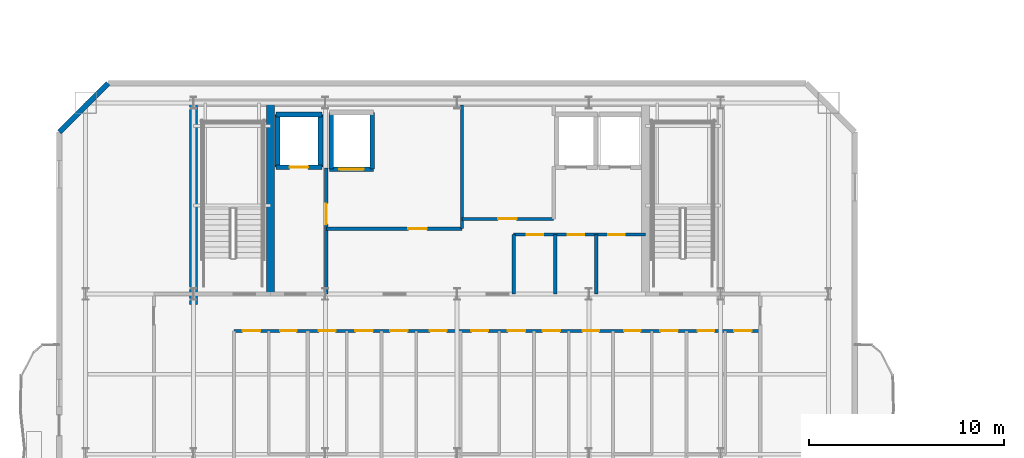
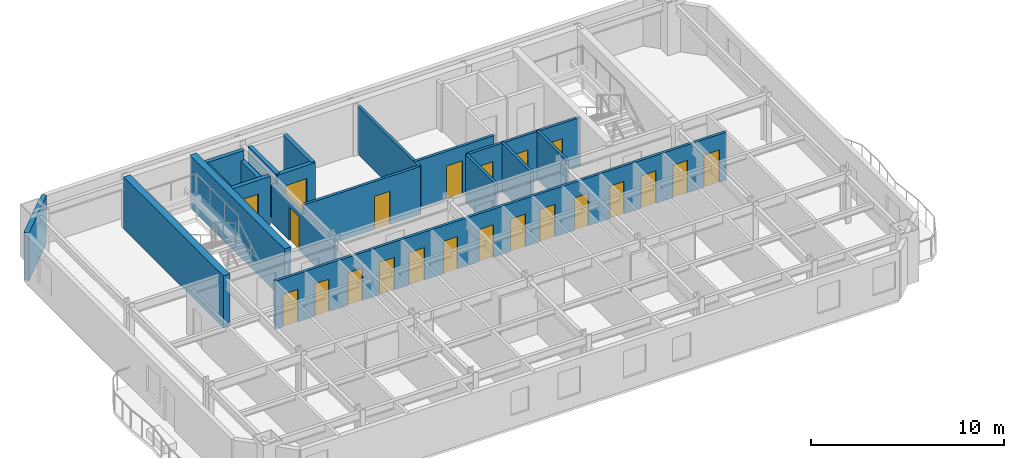
# One storey, part 6 of 14: 22 doors, 19 walls, 22 openings.
"""IFC4 building model written with IfcOpenShell, lengths in metres."""

from ifc_helpers import new_model, si_unit, direction, frame, frame_2d, origin, place, context, subcontext, project, spatial, rectangle, extrude, material, layer, layer_set, type_object, element, fill, save


model = new_model("IFC4")

# Units and contexts
model_context = context("Model", 3, precision=1e-05, world=origin(), true_north=direction((0.0, 1.0)))
body_context = subcontext(model_context, "Body", "Model", "MODEL_VIEW")
ifc_project = project(units=[si_unit("LENGTHUNIT", "METRE"), si_unit("AREAUNIT", "SQUARE_METRE"), si_unit("VOLUMEUNIT", "CUBIC_METRE"), si_unit("PLANEANGLEUNIT", "RADIAN"), si_unit("MASSUNIT", "GRAM", prefix="KILO")], contexts=[model_context])

# Site, building, storey
site_placement = place(None, origin())
site = spatial("IfcSite", under=ifc_project, at=site_placement, CompositionType="ELEMENT")
building_placement = place(site_placement, origin())
building = spatial("IfcBuilding", under=site, at=building_placement, Name="Haevon Station Towers", CompositionType="ELEMENT")
storey_placement = place(building_placement, frame((0.0, 0.0, 212.10009765625)))
storey = spatial("IfcBuildingStorey", under=building, at=storey_placement, Name="L58", CompositionType="ELEMENT", Elevation=212.10009765625)

# Wall, opening, door
ifc_material_1 = material(Name="Gypsum board on steel stud", Category="steel")
ifc_layer_1 = layer(ifc_material_1, 0.199951171875)
ifc_layer_set_1 = layer_set([ifc_layer_1], Name="Gypsum board on steel stud")
wall_type_1 = type_object("IfcWallType", Name="WL-COR200", PredefinedType="PARTITIONING", material=ifc_layer_set_1)
wall_1_placement = place(storey_placement, frame((30.800048828125, 38.199951171875, 0.0), z_axis=(0.0, 0.0, 1.0), x_axis=(0.0, 1.0, 0.0)))
wall_1 = element("IfcWall", 1, at=wall_1_placement, inside=storey, type_object=wall_type_1, Name="WL-T1FFL-L58-E", PredefinedType="PARTITIONING", context=body_context, shape_type="SweptSolid", body=[
    extrude(rectangle(XDim=6.449951171875, YDim=0.199951171875, at=frame_2d((3.22509765625, 0.0))), origin(), (0.0, 0.0, 1.0), 2.429931640625),
])
opening_1_placement = place(wall_1_placement, frame((3.590087890625, 0.0, 0.0)))
opening_1 = element("IfcOpeningElement", 2, at=opening_1_placement, cuts=wall_1, Name="Opening DR-T1FFL-L58-E", PredefinedType="OPENING", context=body_context, shape_type="SweptSolid", body=[
    extrude(rectangle(XDim=1.050048828125, YDim=2.10009765625, at=frame_2d((0.52490234375, 1.050048828125))), frame((0.0, 0.10986328125, 0.0), z_axis=(0.0, -1.0, 0.0), x_axis=(1.0, 0.0, 0.0)), (0.0, 0.0, 1.0), 0.219970703125),
])
ifc_material_2 = material(Name="Engineered oak timber", Category="wood")
door_type_1 = type_object("IfcDoorType", Name="DR-FD60-1050", OperationType="NOTDEFINED", PredefinedType="DOOR", material=ifc_material_2)
door_1_placement = place(opening_1_placement, origin())
door_1 = element("IfcDoor", 3, at=door_1_placement, inside=storey, type_object=door_type_1, Name="L58 Tower 1 Firefighting Lift Lobby Door E", OperationType="SINGLE_SWING_RIGHT", OverallHeight=2.10009765625, OverallWidth=1.050048828125, PredefinedType="DOOR", context=body_context, shape_type="SweptSolid", body=[
    extrude(rectangle(XDim=1.050048828125, YDim=2.10009765625, at=frame_2d((0.52490234375, 1.050048828125))), frame((0.0, 0.02490234375, 0.0), z_axis=(0.0, -1.0, 0.0), x_axis=(1.0, 0.0, 0.0)), (0.0, 0.0, 1.0), 0.050048828125),
])
fill(opening_1, door_1)

# Walls
ifc_material_3 = material(Name="Concrete C60/75", Category="concrete")
ifc_layer_2 = layer(ifc_material_3, 0.39990234375)
ifc_layer_set_2 = layer_set([ifc_layer_2], Name="Concrete C60/75")
wall_type_2 = type_object("IfcWallType", Name="WL-CR400", PredefinedType="SHEAR", material=ifc_layer_set_2)
wall_2_placement = place(storey_placement, frame((24.0, 37.679931640625, 0.0), z_axis=(0.0, 0.0, 1.0), x_axis=(0.0, 1.0, 0.0)))
element("IfcWall", 4, at=wall_2_placement, inside=storey, type_object=wall_type_2, Name="WL-T1CR-L58-W", PredefinedType="SHEAR", context=body_context, shape_type="SweptSolid", body=[
    extrude(rectangle(XDim=10.320068359375, YDim=0.39990234375, at=frame_2d((5.16015625, 0.0))), origin(), (0.0, 0.0, 1.0), 3.2998046875),
])
wall_3_placement = place(storey_placement, frame((27.949951171875, 38.199951171875, 0.0), z_axis=(0.0, 0.0, 1.0), x_axis=(0.0, 1.0, 0.0)))
element("IfcWall", 5, at=wall_3_placement, inside=storey, type_object=wall_type_2, Name="WL-T1CR-L58-M1", PredefinedType="SHEAR", context=body_context, shape_type="SweptSolid", body=[
    extrude(rectangle(XDim=9.800048828125, YDim=0.39990234375, at=frame_2d((4.89990234375, 0.0))), origin(), (0.0, 0.0, 1.0), 3.2998046875),
])
ifc_material_4 = material(Name="Precast concrete C45/55", Category="concrete")
ifc_layer_3 = layer(ifc_material_4, 0.280029296875)
ifc_layer_set_3 = layer_set([ifc_layer_3], Name="Precast concrete C45/55")
wall_type_3 = type_object("IfcWallType", Name="WL-EXT-PIER280", PredefinedType="SOLIDWALL", material=ifc_layer_set_3)
wall_4_placement = place(storey_placement, frame((17.125, 46.5, 0.0), z_axis=(0.0, 0.0, 1.0), x_axis=(0.707106781187, 0.707106781187, 0.0)))
element("IfcWall", 6, at=wall_4_placement, inside=storey, type_object=wall_type_3, Name="WL-T1-L58-NWC", PredefinedType="SOLIDWALL", context=body_context, shape_type="SweptSolid", body=[
    extrude(rectangle(XDim=3.53564453125, YDim=0.280029296875, at=frame_2d((1.767822265625, 0.0))), origin(), (0.0, 0.0, 1.0), 3.02978515625),
])

# Wall, opening, door
ifc_layer_4 = layer(ifc_material_1, 0.159912109375)
ifc_layer_set_4 = layer_set([ifc_layer_4], Name="Gypsum board on steel stud")
wall_type_4 = type_object("IfcWallType", Name="WL-PRT160", PredefinedType="PARTITIONING", material=ifc_layer_set_4)
wall_5_placement = place(storey_placement, frame((30.800048828125, 41.550048828125, 0.0), z_axis=(0.0, 0.0, 1.0), x_axis=(1.0, 0.0, 0.0)))
wall_5 = element("IfcWall", 7, at=wall_5_placement, inside=storey, type_object=wall_type_4, Name="WL-T1CW-L58-01", PredefinedType="PARTITIONING", context=body_context, shape_type="SweptSolid", body=[
    extrude(rectangle(XDim=6.949951171875, YDim=0.159912109375, at=frame_2d((3.47509765625, 0.0))), origin(), (0.0, 0.0, 1.0), 3.02978515625),
])
opening_2_placement = place(wall_5_placement, frame((4.199951171875, 0.0, 0.0)))
opening_2 = element("IfcOpeningElement", 8, at=opening_2_placement, cuts=wall_5, Name="Opening DR-WL-T1CW-L58-01-1", PredefinedType="OPENING", context=body_context, shape_type="SweptSolid", body=[
    extrude(rectangle(XDim=0.949951171875, YDim=2.10009765625, at=frame_2d((0.47509765625, 1.050048828125))), frame((0.0, 0.08984375, 0.0), z_axis=(0.0, -1.0, 0.0), x_axis=(1.0, 0.0, 0.0)), (0.0, 0.0, 1.0), 0.179931640625),
])
door_type_2 = type_object("IfcDoorType", Name="DR-FD60-950", OperationType="NOTDEFINED", PredefinedType="DOOR", material=ifc_material_2)
door_2_placement = place(opening_2_placement, origin())
door_2 = element("IfcDoor", 9, at=door_2_placement, inside=storey, type_object=door_type_2, Name="L58 Tower 1 Core Room Door 1-1", OperationType="SINGLE_SWING_LEFT", OverallHeight=2.10009765625, OverallWidth=0.949951171875, PredefinedType="DOOR", context=body_context, shape_type="SweptSolid", body=[
    extrude(rectangle(XDim=0.949951171875, YDim=2.10009765625, at=frame_2d((0.47509765625, 1.050048828125))), frame((0.0, 0.02490234375, 0.0), z_axis=(0.0, -1.0, 0.0), x_axis=(1.0, 0.0, 0.0)), (0.0, 0.0, 1.0), 0.050048828125),
])
fill(opening_2, door_2)

# Wall
wall_6_placement = place(storey_placement, frame((37.75, 41.550048828125, 0.0), z_axis=(0.0, 0.0, 1.0), x_axis=(0.0, 1.0, 0.0)))
element("IfcWall", 10, at=wall_6_placement, inside=storey, type_object=wall_type_4, Name="WL-T1CW-L58-02", PredefinedType="PARTITIONING", context=body_context, shape_type="SweptSolid", body=[
    extrude(rectangle(XDim=6.349853515625, YDim=0.159912109375, at=frame_2d((3.1748046875, 0.0))), origin(), (0.0, 0.0, 1.0), 3.02978515625),
])

# Wall, opening, door
wall_7_placement = place(storey_placement, frame((37.75, 42.050048828125, 0.0), z_axis=(0.0, 0.0, 1.0), x_axis=(1.0, 0.0, 0.0)))
wall_7 = element("IfcWall", 11, at=wall_7_placement, inside=storey, type_object=wall_type_4, Name="WL-T1CW-L58-03", PredefinedType="PARTITIONING", context=body_context, shape_type="SweptSolid", body=[
    extrude(rectangle(XDim=4.699951171875, YDim=0.159912109375, at=frame_2d((2.35009765625, 0.0))), origin(), (0.0, 0.0, 1.0), 3.02978515625),
])
opening_3_placement = place(wall_7_placement, frame((1.85009765625, 0.0, 0.0)))
opening_3 = element("IfcOpeningElement", 12, at=opening_3_placement, cuts=wall_7, Name="Opening DR-WL-T1CW-L58-03-1", PredefinedType="OPENING", context=body_context, shape_type="SweptSolid", body=[
    extrude(rectangle(XDim=0.949951171875, YDim=2.10009765625, at=frame_2d((0.47509765625, 1.050048828125))), frame((0.0, 0.08984375, 0.0), z_axis=(0.0, -1.0, 0.0), x_axis=(1.0, 0.0, 0.0)), (0.0, 0.0, 1.0), 0.179931640625),
])
door_3_placement = place(opening_3_placement, origin())
door_3 = element("IfcDoor", 13, at=door_3_placement, inside=storey, type_object=door_type_2, Name="L58 Tower 1 Core Room Door 3-1", OperationType="SINGLE_SWING_RIGHT", OverallHeight=2.10009765625, OverallWidth=0.949951171875, PredefinedType="DOOR", context=body_context, shape_type="SweptSolid", body=[
    extrude(rectangle(XDim=0.949951171875, YDim=2.10009765625, at=frame_2d((0.47509765625, 1.050048828125))), frame((0.0, 0.02490234375, 0.0), z_axis=(0.0, -1.0, 0.0), x_axis=(1.0, 0.0, 0.0)), (0.0, 0.0, 1.0), 0.050048828125),
])
fill(opening_3, door_3)

# Walls
for number, where, z_axis, x_axis, name in (
    (14, (40.39990234375, 38.199951171875, 0.0), (0.0, 0.0, 1.0), (0.0, 1.0, 0.0), "WL-T1CW-L58-06"),
    (15, (42.530029296875, 38.199951171875, 0.0), (0.0, 0.0, 1.0), (0.0, 1.0, 0.0), "WL-T1CW-L58-07"),
    (16, (44.6298828125, 38.199951171875, 0.0), (0.0, 0.0, 1.0), (0.0, 1.0, 0.0), "WL-T1CW-L58-08"),
):
    element("IfcWall", number, at=place(storey_placement, frame(where, z_axis=z_axis, x_axis=x_axis)), inside=storey, type_object=wall_type_4, Name=name, PredefinedType="PARTITIONING", context=body_context, shape_type="SweptSolid", body=[
        extrude(rectangle(XDim=3.050048828125, YDim=0.159912109375, at=frame_2d((1.52490234375, 0.0))), origin(), (0.0, 0.0, 1.0), 3.02978515625),
    ])

# Wall, openings, doors
wall_8_placement = place(storey_placement, frame((40.39990234375, 41.25, 0.0), z_axis=(0.0, 0.0, 1.0), x_axis=(1.0, 0.0, 0.0)))
wall_8 = element("IfcWall", 17, at=wall_8_placement, inside=storey, type_object=wall_type_4, Name="WL-T1CW-L58-09", PredefinedType="PARTITIONING", context=body_context, shape_type="SweptSolid", body=[
    extrude(rectangle(XDim=6.75, YDim=0.159912109375, at=frame_2d((3.375, 0.0))), origin(), (0.0, 0.0, 1.0), 3.02978515625),
])
opening_4_placement = place(wall_8_placement, frame((0.659912109375, 0.0, 0.0)))
opening_4 = element("IfcOpeningElement", 18, at=opening_4_placement, cuts=wall_8, Name="Opening DR-WL-T1CW-L58-09-1", PredefinedType="OPENING", context=body_context, shape_type="SweptSolid", body=[
    extrude(rectangle(XDim=0.85009765625, YDim=2.050048828125, at=frame_2d((0.425048828125, 1.02490234375))), frame((0.0, 0.08984375, 0.0), z_axis=(0.0, -1.0, 0.0), x_axis=(1.0, 0.0, 0.0)), (0.0, 0.0, 1.0), 0.179931640625),
])
opening_5_placement = place(wall_8_placement, frame((2.7548828125, 0.0, 0.0)))
opening_5 = element("IfcOpeningElement", 19, at=opening_5_placement, cuts=wall_8, Name="Opening DR-WL-T1CW-L58-09-2", PredefinedType="OPENING", context=body_context, shape_type="SweptSolid", body=[
    extrude(rectangle(XDim=0.85009765625, YDim=2.050048828125, at=frame_2d((0.425048828125, 1.02490234375))), frame((0.0, 0.08984375, 0.0), z_axis=(0.0, -1.0, 0.0), x_axis=(1.0, 0.0, 0.0)), (0.0, 0.0, 1.0), 0.179931640625),
])
opening_6_placement = place(wall_8_placement, frame((4.830078125, 0.0, 0.0)))
opening_6 = element("IfcOpeningElement", 20, at=opening_6_placement, cuts=wall_8, Name="Opening DR-WL-T1CW-L58-09-3", PredefinedType="OPENING", context=body_context, shape_type="SweptSolid", body=[
    extrude(rectangle(XDim=0.85009765625, YDim=2.050048828125, at=frame_2d((0.425048828125, 1.02490234375))), frame((0.0, 0.08984375, 0.0), z_axis=(0.0, -1.0, 0.0), x_axis=(1.0, 0.0, 0.0)), (0.0, 0.0, 1.0), 0.179931640625),
])
door_type_3 = type_object("IfcDoorType", Name="DR-FD30-850", OperationType="NOTDEFINED", PredefinedType="DOOR", material=ifc_material_2)
door_4_placement = place(opening_4_placement, origin())
door_4 = element("IfcDoor", 21, at=door_4_placement, inside=storey, type_object=door_type_3, Name="L58 Tower 1 Core Room Door 9-1", OperationType="SINGLE_SWING_LEFT", OverallHeight=2.050048828125, OverallWidth=0.85009765625, PredefinedType="DOOR", context=body_context, shape_type="SweptSolid", body=[
    extrude(rectangle(XDim=0.85009765625, YDim=2.050048828125, at=frame_2d((0.425048828125, 1.02490234375))), frame((0.0, 0.02490234375, 0.0), z_axis=(0.0, -1.0, 0.0), x_axis=(1.0, 0.0, 0.0)), (0.0, 0.0, 1.0), 0.050048828125),
])
fill(opening_4, door_4)
door_5_placement = place(opening_5_placement, origin())
door_5 = element("IfcDoor", 22, at=door_5_placement, inside=storey, type_object=door_type_3, Name="L58 Tower 1 Core Room Door 9-2", OperationType="SINGLE_SWING_RIGHT", OverallHeight=2.050048828125, OverallWidth=0.85009765625, PredefinedType="DOOR", context=body_context, shape_type="SweptSolid", body=[
    extrude(rectangle(XDim=0.85009765625, YDim=2.050048828125, at=frame_2d((0.425048828125, 1.02490234375))), frame((0.0, 0.02490234375, 0.0), z_axis=(0.0, -1.0, 0.0), x_axis=(1.0, 0.0, 0.0)), (0.0, 0.0, 1.0), 0.050048828125),
])
fill(opening_5, door_5)
door_6_placement = place(opening_6_placement, origin())
door_6 = element("IfcDoor", 23, at=door_6_placement, inside=storey, type_object=door_type_3, Name="L58 Tower 1 Core Room Door 9-3", OperationType="SINGLE_SWING_LEFT", OverallHeight=2.050048828125, OverallWidth=0.85009765625, PredefinedType="DOOR", context=body_context, shape_type="SweptSolid", body=[
    extrude(rectangle(XDim=0.85009765625, YDim=2.050048828125, at=frame_2d((0.425048828125, 1.02490234375))), frame((0.0, 0.02490234375, 0.0), z_axis=(0.0, -1.0, 0.0), x_axis=(1.0, 0.0, 0.0)), (0.0, 0.0, 1.0), 0.050048828125),
])
fill(opening_6, door_6)

wall_9_placement = place(storey_placement, frame((26.080078125, 36.320068359375, 0.0), z_axis=(0.0, 0.0, 1.0), x_axis=(1.0, 0.0, 0.0)))
wall_9 = element("IfcWall", 24, at=wall_9_placement, inside=storey, type_object=wall_type_4, Name="WL-T1PT-L58-26", PredefinedType="PARTITIONING", context=body_context, shape_type="SweptSolid", body=[
    extrude(rectangle(XDim=26.94482421875, YDim=0.159912109375, at=frame_2d((13.472412109375, 0.0))), origin(), (0.0, 0.0, 1.0), 3.02978515625),
])
opening_7_placement = place(wall_9_placement, frame((2.35107421875, 0.0, 0.0)))
opening_7 = element("IfcOpeningElement", 25, at=opening_7_placement, cuts=wall_9, Name="Opening DR-WL-T1PT-L58-26-01", PredefinedType="OPENING", context=body_context, shape_type="SweptSolid", body=[
    extrude(rectangle(XDim=0.85009765625, YDim=2.050048828125, at=frame_2d((0.425048828125, 1.02490234375))), frame((0.0, 0.08984375, 0.0), z_axis=(0.0, -1.0, 0.0), x_axis=(1.0, 0.0, 0.0)), (0.0, 0.0, 1.0), 0.179931640625),
])
opening_8_placement = place(wall_9_placement, frame((0.43994140625, 0.0, 0.0)))
opening_8 = element("IfcOpeningElement", 26, at=opening_8_placement, cuts=wall_9, Name="Opening DR-WL-T1PT-L58-26-02", PredefinedType="OPENING", context=body_context, shape_type="SweptSolid", body=[
    extrude(rectangle(XDim=0.89990234375, YDim=2.050048828125, at=frame_2d((0.449951171875, 1.02490234375))), frame((0.0, 0.08984375, 0.0), z_axis=(0.0, -1.0, 0.0), x_axis=(1.0, 0.0, 0.0)), (0.0, 0.0, 1.0), 0.179931640625),
])
opening_9_placement = place(wall_9_placement, frame((4.343017578125, 0.0, 0.0)))
opening_9 = element("IfcOpeningElement", 27, at=opening_9_placement, cuts=wall_9, Name="Opening DR-WL-T1PT-L58-26-03", PredefinedType="OPENING", context=body_context, shape_type="SweptSolid", body=[
    extrude(rectangle(XDim=0.85009765625, YDim=2.050048828125, at=frame_2d((0.425048828125, 1.02490234375))), frame((0.0, 0.08984375, 0.0), z_axis=(0.0, -1.0, 0.0), x_axis=(1.0, 0.0, 0.0)), (0.0, 0.0, 1.0), 0.179931640625),
])
opening_10_placement = place(wall_9_placement, frame((6.205078125, 0.0, 0.0)))
opening_10 = element("IfcOpeningElement", 28, at=opening_10_placement, cuts=wall_9, Name="Opening DR-WL-T1PT-L58-26-04", PredefinedType="OPENING", context=body_context, shape_type="SweptSolid", body=[
    extrude(rectangle(XDim=0.89990234375, YDim=2.050048828125, at=frame_2d((0.449951171875, 1.02490234375))), frame((0.0, 0.08984375, 0.0), z_axis=(0.0, -1.0, 0.0), x_axis=(1.0, 0.0, 0.0)), (0.0, 0.0, 1.0), 0.179931640625),
])
opening_11_placement = place(wall_9_placement, frame((10.030029296875, 0.0, 0.0)))
opening_11 = element("IfcOpeningElement", 29, at=opening_11_placement, cuts=wall_9, Name="Opening DR-WL-T1PT-L58-26-05", PredefinedType="OPENING", context=body_context, shape_type="SweptSolid", body=[
    extrude(rectangle(XDim=0.85009765625, YDim=2.050048828125, at=frame_2d((0.425048828125, 1.02490234375))), frame((0.0, 0.08984375, 0.0), z_axis=(0.0, -1.0, 0.0), x_axis=(1.0, 0.0, 0.0)), (0.0, 0.0, 1.0), 0.179931640625),
])
opening_12_placement = place(wall_9_placement, frame((7.985107421875, 0.0, 0.0)))
opening_12 = element("IfcOpeningElement", 30, at=opening_12_placement, cuts=wall_9, Name="Opening DR-WL-T1PT-L58-26-06", PredefinedType="OPENING", context=body_context, shape_type="SweptSolid", body=[
    extrude(rectangle(XDim=0.89990234375, YDim=2.050048828125, at=frame_2d((0.449951171875, 1.02490234375))), frame((0.0, 0.08984375, 0.0), z_axis=(0.0, -1.0, 0.0), x_axis=(1.0, 0.0, 0.0)), (0.0, 0.0, 1.0), 0.179931640625),
])
opening_13_placement = place(wall_9_placement, frame((12.156982421875, 0.0, 0.0)))
opening_13 = element("IfcOpeningElement", 31, at=opening_13_placement, cuts=wall_9, Name="Opening DR-WL-T1PT-L58-26-07", PredefinedType="OPENING", context=body_context, shape_type="SweptSolid", body=[
    extrude(rectangle(XDim=0.85009765625, YDim=2.050048828125, at=frame_2d((0.425048828125, 1.02490234375))), frame((0.0, 0.08984375, 0.0), z_axis=(0.0, -1.0, 0.0), x_axis=(1.0, 0.0, 0.0)), (0.0, 0.0, 1.0), 0.179931640625),
])
opening_14_placement = place(wall_9_placement, frame((14.01904296875, 0.0, 0.0)))
opening_14 = element("IfcOpeningElement", 32, at=opening_14_placement, cuts=wall_9, Name="Opening DR-WL-T1PT-L58-26-08", PredefinedType="OPENING", context=body_context, shape_type="SweptSolid", body=[
    extrude(rectangle(XDim=0.89990234375, YDim=2.050048828125, at=frame_2d((0.449951171875, 1.02490234375))), frame((0.0, 0.08984375, 0.0), z_axis=(0.0, -1.0, 0.0), x_axis=(1.0, 0.0, 0.0)), (0.0, 0.0, 1.0), 0.179931640625),
])
opening_15_placement = place(wall_9_placement, frame((17.844970703125, 0.0, 0.0)))
opening_15 = element("IfcOpeningElement", 33, at=opening_15_placement, cuts=wall_9, Name="Opening DR-WL-T1PT-L58-26-09", PredefinedType="OPENING", context=body_context, shape_type="SweptSolid", body=[
    extrude(rectangle(XDim=0.85009765625, YDim=2.050048828125, at=frame_2d((0.425048828125, 1.02490234375))), frame((0.0, 0.08984375, 0.0), z_axis=(0.0, -1.0, 0.0), x_axis=(1.0, 0.0, 0.0)), (0.0, 0.0, 1.0), 0.179931640625),
])
opening_16_placement = place(wall_9_placement, frame((15.799072265625, 0.0, 0.0)))
opening_16 = element("IfcOpeningElement", 34, at=opening_16_placement, cuts=wall_9, Name="Opening DR-WL-T1PT-L58-26-10", PredefinedType="OPENING", context=body_context, shape_type="SweptSolid", body=[
    extrude(rectangle(XDim=0.89990234375, YDim=2.050048828125, at=frame_2d((0.449951171875, 1.02490234375))), frame((0.0, 0.08984375, 0.0), z_axis=(0.0, -1.0, 0.0), x_axis=(1.0, 0.0, 0.0)), (0.0, 0.0, 1.0), 0.179931640625),
])
opening_17_placement = place(wall_9_placement, frame((19.971923828125, 0.0, 0.0)))
opening_17 = element("IfcOpeningElement", 35, at=opening_17_placement, cuts=wall_9, Name="Opening DR-WL-T1PT-L58-26-11", PredefinedType="OPENING", context=body_context, shape_type="SweptSolid", body=[
    extrude(rectangle(XDim=0.85009765625, YDim=2.050048828125, at=frame_2d((0.425048828125, 1.02490234375))), frame((0.0, 0.08984375, 0.0), z_axis=(0.0, -1.0, 0.0), x_axis=(1.0, 0.0, 0.0)), (0.0, 0.0, 1.0), 0.179931640625),
])
opening_18_placement = place(wall_9_placement, frame((21.8330078125, 0.0, 0.0)))
opening_18 = element("IfcOpeningElement", 36, at=opening_18_placement, cuts=wall_9, Name="Opening DR-WL-T1PT-L58-26-12", PredefinedType="OPENING", context=body_context, shape_type="SweptSolid", body=[
    extrude(rectangle(XDim=0.89990234375, YDim=2.050048828125, at=frame_2d((0.449951171875, 1.02490234375))), frame((0.0, 0.08984375, 0.0), z_axis=(0.0, -1.0, 0.0), x_axis=(1.0, 0.0, 0.0)), (0.0, 0.0, 1.0), 0.179931640625),
])
opening_19_placement = place(wall_9_placement, frame((23.743896484375, 0.0, 0.0)))
opening_19 = element("IfcOpeningElement", 37, at=opening_19_placement, cuts=wall_9, Name="Opening DR-WL-T1PT-L58-26-13", PredefinedType="OPENING", context=body_context, shape_type="SweptSolid", body=[
    extrude(rectangle(XDim=0.85009765625, YDim=2.050048828125, at=frame_2d((0.425048828125, 1.02490234375))), frame((0.0, 0.08984375, 0.0), z_axis=(0.0, -1.0, 0.0), x_axis=(1.0, 0.0, 0.0)), (0.0, 0.0, 1.0), 0.179931640625),
])
opening_20_placement = place(wall_9_placement, frame((25.60498046875, 0.0, 0.0)))
opening_20 = element("IfcOpeningElement", 38, at=opening_20_placement, cuts=wall_9, Name="Opening DR-WL-T1PT-L58-26-14", PredefinedType="OPENING", context=body_context, shape_type="SweptSolid", body=[
    extrude(rectangle(XDim=0.89990234375, YDim=2.050048828125, at=frame_2d((0.449951171875, 1.02490234375))), frame((0.0, 0.08984375, 0.0), z_axis=(0.0, -1.0, 0.0), x_axis=(1.0, 0.0, 0.0)), (0.0, 0.0, 1.0), 0.179931640625),
])
door_7_placement = place(opening_7_placement, origin())
door_7 = element("IfcDoor", 39, at=door_7_placement, inside=storey, type_object=door_type_3, Name="L58 Tower 1 Room Door 26-1", OperationType="SINGLE_SWING_RIGHT", OverallHeight=2.050048828125, OverallWidth=0.85009765625, PredefinedType="DOOR", context=body_context, shape_type="SweptSolid", body=[
    extrude(rectangle(XDim=0.85009765625, YDim=2.050048828125, at=frame_2d((0.425048828125, 1.02490234375))), frame((0.0, 0.02490234375, 0.0), z_axis=(0.0, -1.0, 0.0), x_axis=(1.0, 0.0, 0.0)), (0.0, 0.0, 1.0), 0.050048828125),
])
fill(opening_7, door_7)
door_8_placement = place(opening_9_placement, origin())
door_8 = element("IfcDoor", 40, at=door_8_placement, inside=storey, type_object=door_type_3, Name="L58 Tower 1 Room Door 26-3", OperationType="SINGLE_SWING_RIGHT", OverallHeight=2.050048828125, OverallWidth=0.85009765625, PredefinedType="DOOR", context=body_context, shape_type="SweptSolid", body=[
    extrude(rectangle(XDim=0.85009765625, YDim=2.050048828125, at=frame_2d((0.425048828125, 1.02490234375))), frame((0.0, 0.02490234375, 0.0), z_axis=(0.0, -1.0, 0.0), x_axis=(1.0, 0.0, 0.0)), (0.0, 0.0, 1.0), 0.050048828125),
])
fill(opening_9, door_8)
door_9_placement = place(opening_11_placement, origin())
door_9 = element("IfcDoor", 41, at=door_9_placement, inside=storey, type_object=door_type_3, Name="L58 Tower 1 Room Door 26-5", OperationType="SINGLE_SWING_RIGHT", OverallHeight=2.050048828125, OverallWidth=0.85009765625, PredefinedType="DOOR", context=body_context, shape_type="SweptSolid", body=[
    extrude(rectangle(XDim=0.85009765625, YDim=2.050048828125, at=frame_2d((0.425048828125, 1.02490234375))), frame((0.0, 0.02490234375, 0.0), z_axis=(0.0, -1.0, 0.0), x_axis=(1.0, 0.0, 0.0)), (0.0, 0.0, 1.0), 0.050048828125),
])
fill(opening_11, door_9)
door_10_placement = place(opening_13_placement, origin())
door_10 = element("IfcDoor", 42, at=door_10_placement, inside=storey, type_object=door_type_3, Name="L58 Tower 1 Room Door 26-7", OperationType="SINGLE_SWING_RIGHT", OverallHeight=2.050048828125, OverallWidth=0.85009765625, PredefinedType="DOOR", context=body_context, shape_type="SweptSolid", body=[
    extrude(rectangle(XDim=0.85009765625, YDim=2.050048828125, at=frame_2d((0.425048828125, 1.02490234375))), frame((0.0, 0.02490234375, 0.0), z_axis=(0.0, -1.0, 0.0), x_axis=(1.0, 0.0, 0.0)), (0.0, 0.0, 1.0), 0.050048828125),
])
fill(opening_13, door_10)
door_11_placement = place(opening_15_placement, origin())
door_11 = element("IfcDoor", 43, at=door_11_placement, inside=storey, type_object=door_type_3, Name="L58 Tower 1 Room Door 26-9", OperationType="SINGLE_SWING_RIGHT", OverallHeight=2.050048828125, OverallWidth=0.85009765625, PredefinedType="DOOR", context=body_context, shape_type="SweptSolid", body=[
    extrude(rectangle(XDim=0.85009765625, YDim=2.050048828125, at=frame_2d((0.425048828125, 1.02490234375))), frame((0.0, 0.02490234375, 0.0), z_axis=(0.0, -1.0, 0.0), x_axis=(1.0, 0.0, 0.0)), (0.0, 0.0, 1.0), 0.050048828125),
])
fill(opening_15, door_11)
door_12_placement = place(opening_17_placement, origin())
door_12 = element("IfcDoor", 44, at=door_12_placement, inside=storey, type_object=door_type_3, Name="L58 Tower 1 Room Door 26-11", OperationType="SINGLE_SWING_RIGHT", OverallHeight=2.050048828125, OverallWidth=0.85009765625, PredefinedType="DOOR", context=body_context, shape_type="SweptSolid", body=[
    extrude(rectangle(XDim=0.85009765625, YDim=2.050048828125, at=frame_2d((0.425048828125, 1.02490234375))), frame((0.0, 0.02490234375, 0.0), z_axis=(0.0, -1.0, 0.0), x_axis=(1.0, 0.0, 0.0)), (0.0, 0.0, 1.0), 0.050048828125),
])
fill(opening_17, door_12)
door_13_placement = place(opening_19_placement, origin())
door_13 = element("IfcDoor", 45, at=door_13_placement, inside=storey, type_object=door_type_3, Name="L58 Tower 1 Room Door 26-13", OperationType="SINGLE_SWING_RIGHT", OverallHeight=2.050048828125, OverallWidth=0.85009765625, PredefinedType="DOOR", context=body_context, shape_type="SweptSolid", body=[
    extrude(rectangle(XDim=0.85009765625, YDim=2.050048828125, at=frame_2d((0.425048828125, 1.02490234375))), frame((0.0, 0.02490234375, 0.0), z_axis=(0.0, -1.0, 0.0), x_axis=(1.0, 0.0, 0.0)), (0.0, 0.0, 1.0), 0.050048828125),
])
fill(opening_19, door_13)
door_type_4 = type_object("IfcDoorType", Name="DR-INT-900", OperationType="NOTDEFINED", PredefinedType="DOOR", material=ifc_material_2)
door_14_placement = place(opening_8_placement, origin())
door_14 = element("IfcDoor", 46, at=door_14_placement, inside=storey, type_object=door_type_4, Name="L58 Tower 1 Room Door 26-2", OperationType="SINGLE_SWING_LEFT", OverallHeight=2.050048828125, OverallWidth=0.89990234375, PredefinedType="DOOR", context=body_context, shape_type="SweptSolid", body=[
    extrude(rectangle(XDim=0.89990234375, YDim=2.050048828125, at=frame_2d((0.449951171875, 1.02490234375))), frame((0.0, 0.02490234375, 0.0), z_axis=(0.0, -1.0, 0.0), x_axis=(1.0, 0.0, 0.0)), (0.0, 0.0, 1.0), 0.050048828125),
])
fill(opening_8, door_14)
door_15_placement = place(opening_10_placement, origin())
door_15 = element("IfcDoor", 47, at=door_15_placement, inside=storey, type_object=door_type_4, Name="L58 Tower 1 Room Door 26-4", OperationType="SINGLE_SWING_LEFT", OverallHeight=2.050048828125, OverallWidth=0.89990234375, PredefinedType="DOOR", context=body_context, shape_type="SweptSolid", body=[
    extrude(rectangle(XDim=0.89990234375, YDim=2.050048828125, at=frame_2d((0.449951171875, 1.02490234375))), frame((0.0, 0.02490234375, 0.0), z_axis=(0.0, -1.0, 0.0), x_axis=(1.0, 0.0, 0.0)), (0.0, 0.0, 1.0), 0.050048828125),
])
fill(opening_10, door_15)
door_16_placement = place(opening_12_placement, origin())
door_16 = element("IfcDoor", 48, at=door_16_placement, inside=storey, type_object=door_type_4, Name="L58 Tower 1 Room Door 26-6", OperationType="SINGLE_SWING_LEFT", OverallHeight=2.050048828125, OverallWidth=0.89990234375, PredefinedType="DOOR", context=body_context, shape_type="SweptSolid", body=[
    extrude(rectangle(XDim=0.89990234375, YDim=2.050048828125, at=frame_2d((0.449951171875, 1.02490234375))), frame((0.0, 0.02490234375, 0.0), z_axis=(0.0, -1.0, 0.0), x_axis=(1.0, 0.0, 0.0)), (0.0, 0.0, 1.0), 0.050048828125),
])
fill(opening_12, door_16)
door_17_placement = place(opening_14_placement, origin())
door_17 = element("IfcDoor", 49, at=door_17_placement, inside=storey, type_object=door_type_4, Name="L58 Tower 1 Room Door 26-8", OperationType="SINGLE_SWING_LEFT", OverallHeight=2.050048828125, OverallWidth=0.89990234375, PredefinedType="DOOR", context=body_context, shape_type="SweptSolid", body=[
    extrude(rectangle(XDim=0.89990234375, YDim=2.050048828125, at=frame_2d((0.449951171875, 1.02490234375))), frame((0.0, 0.02490234375, 0.0), z_axis=(0.0, -1.0, 0.0), x_axis=(1.0, 0.0, 0.0)), (0.0, 0.0, 1.0), 0.050048828125),
])
fill(opening_14, door_17)
door_18_placement = place(opening_16_placement, origin())
door_18 = element("IfcDoor", 50, at=door_18_placement, inside=storey, type_object=door_type_4, Name="L58 Tower 1 Room Door 26-10", OperationType="SINGLE_SWING_LEFT", OverallHeight=2.050048828125, OverallWidth=0.89990234375, PredefinedType="DOOR", context=body_context, shape_type="SweptSolid", body=[
    extrude(rectangle(XDim=0.89990234375, YDim=2.050048828125, at=frame_2d((0.449951171875, 1.02490234375))), frame((0.0, 0.02490234375, 0.0), z_axis=(0.0, -1.0, 0.0), x_axis=(1.0, 0.0, 0.0)), (0.0, 0.0, 1.0), 0.050048828125),
])
fill(opening_16, door_18)
door_19_placement = place(opening_18_placement, origin())
door_19 = element("IfcDoor", 51, at=door_19_placement, inside=storey, type_object=door_type_4, Name="L58 Tower 1 Room Door 26-12", OperationType="SINGLE_SWING_LEFT", OverallHeight=2.050048828125, OverallWidth=0.89990234375, PredefinedType="DOOR", context=body_context, shape_type="SweptSolid", body=[
    extrude(rectangle(XDim=0.89990234375, YDim=2.050048828125, at=frame_2d((0.449951171875, 1.02490234375))), frame((0.0, 0.02490234375, 0.0), z_axis=(0.0, -1.0, 0.0), x_axis=(1.0, 0.0, 0.0)), (0.0, 0.0, 1.0), 0.050048828125),
])
fill(opening_18, door_19)
door_20_placement = place(opening_20_placement, origin())
door_20 = element("IfcDoor", 52, at=door_20_placement, inside=storey, type_object=door_type_4, Name="L58 Tower 1 Room Door 26-14", OperationType="SINGLE_SWING_LEFT", OverallHeight=2.050048828125, OverallWidth=0.89990234375, PredefinedType="DOOR", context=body_context, shape_type="SweptSolid", body=[
    extrude(rectangle(XDim=0.89990234375, YDim=2.050048828125, at=frame_2d((0.449951171875, 1.02490234375))), frame((0.0, 0.02490234375, 0.0), z_axis=(0.0, -1.0, 0.0), x_axis=(1.0, 0.0, 0.0)), (0.0, 0.0, 1.0), 0.050048828125),
])
fill(opening_20, door_20)

# Wall, opening, door
ifc_material_5 = material(Name="Concrete C40/50", Category="concrete")
ifc_layer_5 = layer(ifc_material_5, 0.239990234375)
ifc_layer_set_5 = layer_set([ifc_layer_5], Name="Concrete C40/50")
wall_type_5 = type_object("IfcWallType", Name="WL-SHF240", PredefinedType="PARTITIONING", material=ifc_layer_set_5)
wall_10_placement = place(storey_placement, frame((28.219970703125, 44.699951171875, 0.0), z_axis=(0.0, 0.0, 1.0), x_axis=(1.0, 0.0, 0.0)))
wall_10 = element("IfcWall", 53, at=wall_10_placement, inside=storey, type_object=wall_type_5, Name="WL-SHF-FL1-L58", PredefinedType="PARTITIONING", context=body_context, shape_type="SweptSolid", body=[
    extrude(rectangle(XDim=2.360107421875, YDim=0.239990234375, at=frame_2d((1.18017578125, 0.0))), origin(), (0.0, 0.0, 1.0), 3.02978515625),
])
opening_21_placement = place(wall_10_placement, frame((0.705078125, 0.0, 0.0)))
opening_21 = element("IfcOpeningElement", 54, at=opening_21_placement, cuts=wall_10, Name="Opening LD-FL1-L58", PredefinedType="OPENING", context=body_context, shape_type="SweptSolid", body=[
    extrude(rectangle(XDim=0.949951171875, YDim=2.14990234375, at=frame_2d((0.47509765625, 1.074951171875))), frame((0.0, 0.1298828125, 0.0), z_axis=(0.0, -1.0, 0.0), x_axis=(1.0, 0.0, 0.0)), (0.0, 0.0, 1.0), 0.260009765625),
])
ifc_material_6 = material(Name="Stainless steel and rated core", Category="steel")
door_type_5 = type_object("IfcDoorType", Name="LD-FL950", OperationType="SLIDING_TO_LEFT", PredefinedType="DOOR", material=ifc_material_6)
door_21_placement = place(opening_21_placement, origin())
door_21 = element("IfcDoor", 55, at=door_21_placement, inside=storey, type_object=door_type_5, Name="L58 Lift FL1 Sliding Landing Door", OperationType="SLIDING_TO_LEFT", OverallHeight=2.14990234375, OverallWidth=0.949951171875, PredefinedType="DOOR", context=body_context, shape_type="SweptSolid", body=[
    extrude(rectangle(XDim=0.949951171875, YDim=2.14990234375, at=frame_2d((0.47509765625, 1.074951171875))), frame((0.0, 0.02490234375, 0.0), z_axis=(0.0, -1.0, 0.0), x_axis=(1.0, 0.0, 0.0)), (0.0, 0.0, 1.0), 0.050048828125),
])
fill(opening_21, door_21)

# Walls
wall_11_placement = place(storey_placement, frame((28.219970703125, 47.39990234375, 0.0), z_axis=(0.0, 0.0, 1.0), x_axis=(1.0, 0.0, 0.0)))
element("IfcWall", 56, at=wall_11_placement, inside=storey, type_object=wall_type_5, Name="WL-SHF-FL1-L58-N", PredefinedType="PARTITIONING", context=body_context, shape_type="SweptSolid", body=[
    extrude(rectangle(XDim=2.360107421875, YDim=0.239990234375, at=frame_2d((1.18017578125, 0.0))), origin(), (0.0, 0.0, 1.0), 3.02978515625),
])
wall_12_placement = place(storey_placement, frame((28.300048828125, 44.699951171875, 0.0), z_axis=(0.0, 0.0, 1.0), x_axis=(0.0, 1.0, 0.0)))
element("IfcWall", 57, at=wall_12_placement, inside=storey, type_object=wall_type_5, Name="WL-SHF-FL1-L58-W", PredefinedType="PARTITIONING", context=body_context, shape_type="SweptSolid", body=[
    extrude(rectangle(XDim=2.699951171875, YDim=0.239990234375, at=frame_2d((1.35009765625, 0.0))), origin(), (0.0, 0.0, 1.0), 3.02978515625),
])
wall_13_placement = place(storey_placement, frame((30.5, 44.699951171875, 0.0), z_axis=(0.0, 0.0, 1.0), x_axis=(0.0, 1.0, 0.0)))
element("IfcWall", 58, at=wall_13_placement, inside=storey, type_object=wall_type_5, Name="WL-SHF-FL1-L58-E", PredefinedType="PARTITIONING", context=body_context, shape_type="SweptSolid", body=[
    extrude(rectangle(XDim=2.699951171875, YDim=0.239990234375, at=frame_2d((1.35009765625, 0.0))), origin(), (0.0, 0.0, 1.0), 2.429931640625),
])

# Wall, opening, door
wall_14_placement = place(storey_placement, frame((30.969970703125, 44.60009765625, 0.0), z_axis=(0.0, 0.0, 1.0), x_axis=(1.0, 0.0, 0.0)))
wall_14 = element("IfcWall", 59, at=wall_14_placement, inside=storey, type_object=wall_type_5, Name="WL-SHF-SL1-L58", PredefinedType="PARTITIONING", context=body_context, shape_type="SweptSolid", body=[
    extrude(rectangle(XDim=2.260009765625, YDim=0.239990234375, at=frame_2d((1.1298828125, 0.0))), origin(), (0.0, 0.0, 1.0), 3.02978515625),
])
opening_22_placement = place(wall_14_placement, frame((0.5048828125, 0.0, 0.0)))
opening_22 = element("IfcOpeningElement", 60, at=opening_22_placement, cuts=wall_14, Name="Opening LD-SL1-L58", PredefinedType="OPENING", context=body_context, shape_type="SweptSolid", body=[
    extrude(rectangle(XDim=1.25, YDim=2.199951171875, at=frame_2d((0.625, 1.10009765625))), frame((0.0, 0.1298828125, 0.0), z_axis=(0.0, -1.0, 0.0), x_axis=(1.0, 0.0, 0.0)), (0.0, 0.0, 1.0), 0.260009765625),
])
door_type_6 = type_object("IfcDoorType", Name="LD-SL1250", OperationType="SLIDING_TO_LEFT", PredefinedType="DOOR", material=ifc_material_6)
door_22_placement = place(opening_22_placement, origin())
door_22 = element("IfcDoor", 61, at=door_22_placement, inside=storey, type_object=door_type_6, Name="L58 Lift SL1 Sliding Landing Door", OperationType="SLIDING_TO_LEFT", OverallHeight=2.199951171875, OverallWidth=1.25, PredefinedType="DOOR", context=body_context, shape_type="SweptSolid", body=[
    extrude(rectangle(XDim=1.25, YDim=2.199951171875, at=frame_2d((0.625, 1.10009765625))), frame((0.0, 0.02490234375, 0.0), z_axis=(0.0, -1.0, 0.0), x_axis=(1.0, 0.0, 0.0)), (0.0, 0.0, 1.0), 0.050048828125),
])
fill(opening_22, door_22)

# Walls
for number, where, z_axis, x_axis, name in (
    (62, (31.050048828125, 44.60009765625, 0.0), (0.0, 0.0, 1.0), (0.0, 1.0, 0.0), "WL-SHF-SL1-L58-W"),
    (63, (33.14990234375, 44.60009765625, 0.0), (0.0, 0.0, 1.0), (0.0, 1.0, 0.0), "WL-SHF-SL1-L58-E"),
):
    element("IfcWall", number, at=place(storey_placement, frame(where, z_axis=z_axis, x_axis=x_axis)), inside=storey, type_object=wall_type_5, Name=name, PredefinedType="PARTITIONING", context=body_context, shape_type="SweptSolid", body=[
        extrude(rectangle(XDim=2.89990234375, YDim=0.239990234375, at=frame_2d((1.449951171875, 0.0))), origin(), (0.0, 0.0, 1.0), 3.02978515625),
    ])

save(model, "model.ifc")
